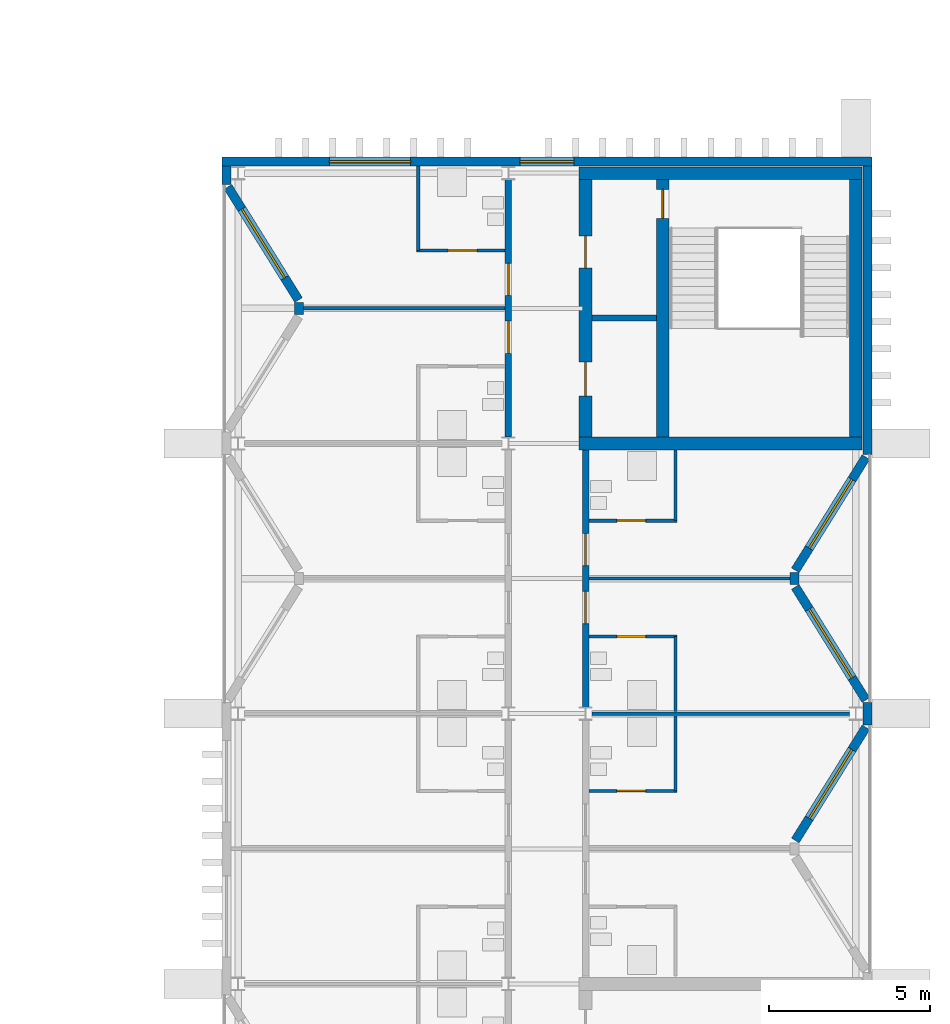
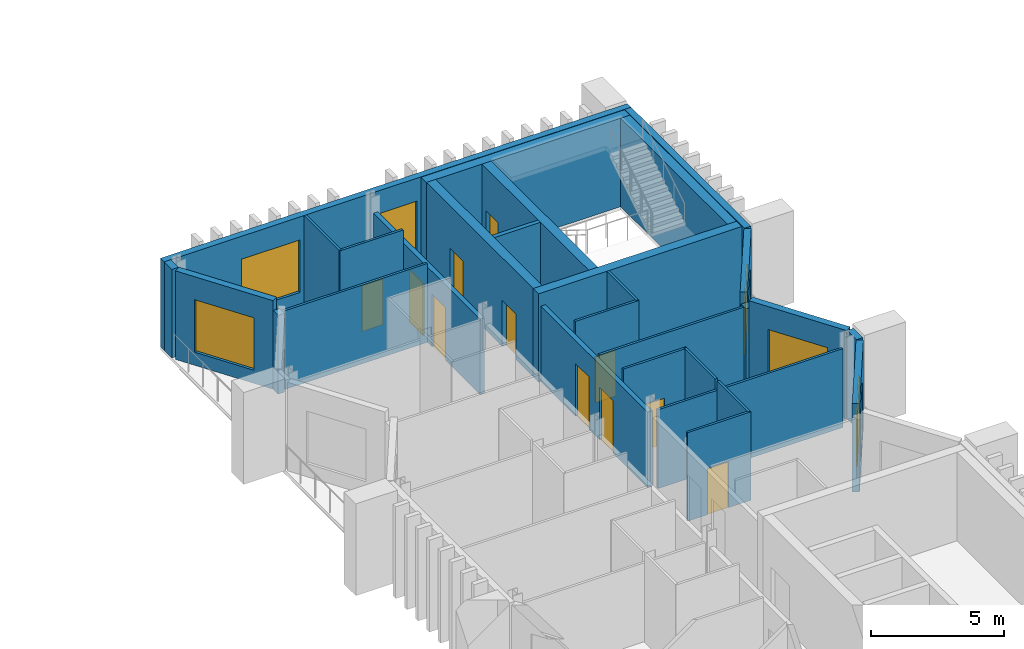
# One storey, part 15 of 18: 29 walls, 11 doors, 6 windows, 17 openings.
"""IFC4 building model written with IfcOpenShell, lengths in metres."""

import ifcopenshell
import ifcopenshell.guid

model = None  # the IFC model being written
_history = None  # IfcOwnerHistory: only IFC2X3 demands one
_inside = {}  # id of a spatial element -> (the spatial element, [elements in it])
_under = {}  # id of a project, library or spatial element -> (it, [spatial elements below it])
_declared = {}  # id of a project -> (the project, [libraries it declares])
_typed = {}  # id of a type object -> (the type object, [elements of that type])
_made_of = {}  # id of a material, layer set ... -> (it, [elements and type objects made of it])


def new_model(schema):
    """Start an empty IFC model of exactly this schema.

    Asked for "IFC4X3", IfcOpenShell would pick the latest addendum, in which some entities
    have other attributes; the version numbers below select the first issue.
    IFC2X3 requires an IfcOwnerHistory on every rooted entity: one is made here for all.
    """
    global model, _history
    if schema == "IFC4X3":
        model = ifcopenshell.file(schema_version=(4, 3, 0, 0))
    else:
        model = ifcopenshell.file(schema=schema)
    _inside.clear()
    _under.clear()
    _declared.clear()
    _typed.clear()
    _made_of.clear()
    _history = None
    if model.schema == "IFC2X3":
        org = make("IfcOrganization", Name="unknown")
        user = make(
            "IfcPersonAndOrganization",
            ThePerson=make("IfcPerson", FamilyName="unknown"),
            TheOrganization=org,
        )
        app = make(
            "IfcApplication",
            ApplicationDeveloper=org,
            Version="unknown",
            ApplicationFullName="unknown",
            ApplicationIdentifier="unknown",
        )
        _history = make(
            "IfcOwnerHistory",
            OwningUser=user,
            OwningApplication=app,
            ChangeAction="ADDED",
            CreationDate=0,
        )
    return model


def make(cls, **values):
    """One entity of the class cls with the attributes given. An attribute that is None is left unset."""
    return model.create_entity(
        cls, **{name: value for name, value in values.items() if value is not None}
    )


def rooted(cls, **values):
    """An entity with a GlobalId (a new one), such as an element, a storey or a relation."""
    return make(cls, GlobalId=ifcopenshell.guid.new(), OwnerHistory=_history, **values)


def si_unit(unit_type, name, prefix=None):
    """IfcSIUnit, for example si_unit("LENGTHUNIT", "METRE", prefix="MILLI")."""
    return make("IfcSIUnit", UnitType=unit_type, Prefix=prefix, Name=name)


def assignment(units):
    """IfcUnitAssignment: the units of a project."""
    return None if units is None else make("IfcUnitAssignment", Units=units)


def point(xyz):
    """IfcCartesianPoint."""
    return None if xyz is None else make("IfcCartesianPoint", Coordinates=xyz)


def direction(xyz):
    """IfcDirection."""
    return None if xyz is None else make("IfcDirection", DirectionRatios=xyz)


def frame(location, z_axis=None, x_axis=None):
    """IfcAxis2Placement3D, a coordinate frame: its origin and axes. An axis left out is left unset."""
    return make(
        "IfcAxis2Placement3D",
        Location=point(location),
        Axis=direction(z_axis),
        RefDirection=direction(x_axis),
    )


def frame_2d(location, x_axis=None):
    """IfcAxis2Placement2D, a coordinate frame in the plane: its origin and x axis."""
    return make(
        "IfcAxis2Placement2D", Location=point(location), RefDirection=direction(x_axis)
    )


def origin():
    """The frame at (0, 0, 0) with its axes left unset."""
    return frame((0.0, 0.0, 0.0))


def place(relative_to, where):
    """IfcLocalPlacement: puts the frame where relative to a parent placement (None: the world)."""
    return make(
        "IfcLocalPlacement", PlacementRelTo=relative_to, RelativePlacement=where
    )


def context(
    kind, dimensions, precision=None, world=None, true_north=None, identifier=None
):
    """IfcGeometricRepresentationContext, for example the 3D "Model" context."""
    return make(
        "IfcGeometricRepresentationContext",
        ContextIdentifier=identifier,
        ContextType=kind,
        CoordinateSpaceDimension=dimensions,
        Precision=precision,
        WorldCoordinateSystem=world,
        TrueNorth=true_north,
    )


def subcontext(parent, identifier, kind, view, scale=None):
    """IfcGeometricRepresentationSubContext, for example "Body" below "Model"."""
    return make(
        "IfcGeometricRepresentationSubContext",
        ContextIdentifier=identifier,
        ContextType=kind,
        ParentContext=parent,
        TargetScale=scale,
        TargetView=view,
    )


def project(units=None, contexts=None):
    """IfcProject with its units and contexts."""
    return rooted(
        "IfcProject",
        Name="project",
        RepresentationContexts=contexts,
        UnitsInContext=assignment(units),
    )


def spatial(cls, under=None, at=None, **own):
    """A site, building, storey or space (cls), placed at a placement, below another one or the project."""
    s = rooted(cls, ObjectPlacement=at, **own)
    if under is not None:
        _under.setdefault(under.id(), (under, []))[1].append(s)
    return s


def profile(cls, at=None, kind="AREA", **sizes):
    """A parametric profile (cls). Its sizes go by their IFC names, for example OverallWidth=200.0."""
    return make(cls, ProfileType=kind, Position=at, **sizes)


def rectangle(**sizes):
    """IfcRectangleProfileDef."""
    return profile("IfcRectangleProfileDef", **sizes)


def extrude(swept, where, along, depth):
    """IfcExtrudedAreaSolid: the profile swept, set in the frame where, extruded along a direction by depth."""
    return make(
        "IfcExtrudedAreaSolid",
        SweptArea=swept,
        Position=where,
        ExtrudedDirection=direction(along),
        Depth=depth,
    )


def shape(context_of_items, identifier, shape_type, items):
    """IfcShapeRepresentation: the items that make up one representation, for example the "Body"."""
    return make(
        "IfcShapeRepresentation",
        ContextOfItems=context_of_items,
        RepresentationIdentifier=identifier,
        RepresentationType=shape_type,
        Items=items,
    )


def material(Name=None, Category=None):
    """IfcMaterial."""
    return make("IfcMaterial", Name=Name, Category=Category)


def layer(
    of_material, thickness, ventilated=None, Name=None, Category=None, Priority=None
):
    """IfcMaterialLayer: one layer of a wall or slab, of a material (None: an air gap)."""
    return make(
        "IfcMaterialLayer",
        Material=of_material,
        LayerThickness=thickness,
        IsVentilated=ventilated,
        Name=Name,
        Category=Category,
        Priority=Priority,
    )


def layer_set(layers, Name=None):
    """IfcMaterialLayerSet."""
    return make("IfcMaterialLayerSet", MaterialLayers=layers, LayerSetName=Name)


def made_of(thing, what):
    """Note that an element or type object is made of a material, layer set ...; save() writes the relation."""
    if what is not None:
        _made_of.setdefault(what.id(), (what, []))[1].append(thing)
    return thing


def type_object(cls, material=None, **own):
    """A type object (cls), such as IfcWallType, which elements share."""
    return made_of(rooted(cls, **own), material)


def element(
    cls,
    number,
    at=None,
    inside=None,
    cuts=None,
    type_object=None,
    material=None,
    context=None,
    identifier="Body",
    shape_type=None,
    held_by="IfcProductDefinitionShape",
    body=None,
    shapes=None,
    **own,
):
    """One element of the class cls, such as IfcWall. Its Tag is "e" and its number.

    at: its placement. inside: the storey or other place that contains it. cuts: it is an
    opening in that element (IfcRelVoidsElement). A single representation is given by context,
    identifier, shape_type and body (its items); several are given by shapes. held_by: the class
    of the entity that holds the representations. save() writes the other relations.
    """
    e = rooted(cls, Tag="e%d" % number, ObjectPlacement=at, **own)
    if body is not None:
        shapes = [shape(context, identifier, shape_type, body)]
    if shapes is not None:
        e.Representation = make(held_by, Representations=shapes)
    if inside is not None:
        _inside.setdefault(inside.id(), (inside, []))[1].append(e)
    if cuts is not None:
        rooted(
            "IfcRelVoidsElement", RelatingBuildingElement=cuts, RelatedOpeningElement=e
        )
    if type_object is not None:
        _typed.setdefault(type_object.id(), (type_object, []))[1].append(e)
    return made_of(e, material)


def fill(opening, filler):
    """IfcRelFillsElement: the door or window that sits in an opening."""
    return rooted(
        "IfcRelFillsElement",
        RelatingOpeningElement=opening,
        RelatedBuildingElement=filler,
    )


def aggregate(whole, parts):
    """IfcRelAggregates: a whole, such as a stair, and the parts it consists of."""
    return rooted("IfcRelAggregates", RelatingObject=whole, RelatedObjects=parts)


def save(model, path):
    """Write the relations noted so far, then the file.

    IfcRelAggregates (storeys below a building ...), IfcRelContainedInSpatialStructure (elements
    in a storey), IfcRelDefinesByType, IfcRelAssociatesMaterial and IfcRelDeclares: one each for
    every whole, place, type object, material and project.
    """
    for whole, parts in _under.values():
        aggregate(whole, parts)
    for where, things in _inside.values():
        rooted(
            "IfcRelContainedInSpatialStructure",
            RelatedElements=things,
            RelatingStructure=where,
        )
    for kind, things in _typed.values():
        rooted("IfcRelDefinesByType", RelatedObjects=things, RelatingType=kind)
    for what, things in _made_of.values():
        rooted("IfcRelAssociatesMaterial", RelatedObjects=things, RelatingMaterial=what)
    for by, libraries in _declared.values():
        rooted("IfcRelDeclares", RelatingContext=by, RelatedDefinitions=libraries)
    model.write(path)


model = new_model("IFC4")

# Units and contexts
model_context = context("Model", 3, precision=1e-05, world=origin(), true_north=direction((0.0, 1.0)))
body_context = subcontext(model_context, "Body", "Model", "MODEL_VIEW")
ifc_project = project(units=[si_unit("LENGTHUNIT", "METRE"), si_unit("AREAUNIT", "SQUARE_METRE"), si_unit("VOLUMEUNIT", "CUBIC_METRE"), si_unit("PLANEANGLEUNIT", "RADIAN"), si_unit("MASSUNIT", "GRAM", prefix="KILO")], contexts=[model_context])

# Site, building, storey
site_placement = place(None, origin())
site = spatial("IfcSite", under=ifc_project, at=site_placement, CompositionType="ELEMENT")
building_placement = place(site_placement, origin())
building = spatial("IfcBuilding", under=site, at=building_placement, Name="Cresset Court Congress Hotel", CompositionType="ELEMENT")
storey_placement = place(building_placement, frame((0.0, 0.0, 35.39990234375)))
storey = spatial("IfcBuildingStorey", under=building, at=storey_placement, Name="L08", CompositionType="ELEMENT", Elevation=35.39990234375)

# Wall, openings, doors
ifc_material_1 = material(Name="Gypsum board partition")
ifc_layer_1 = layer(ifc_material_1, 0.199951171875)
ifc_layer_set_1 = layer_set([ifc_layer_1], Name="Corridor wall 200")
wall_type_1 = type_object("IfcWallType", Name="Corridor wall 200", PredefinedType="PARTITIONING", material=ifc_layer_set_1)
wall_1_placement = place(storey_placement, frame((165.60009765625, 59.0, 0.0), z_axis=(0.0, 0.0, 1.0), x_axis=(0.0, 1.0, 0.0)))
wall_1 = element("IfcWall", 1, at=wall_1_placement, inside=storey, type_object=wall_type_1, Name="A.wl.L08.077", PredefinedType="PARTITIONING", context=body_context, shape_type="SweptSolid", body=[
    extrude(rectangle(XDim=8.0, YDim=0.199951171875, at=frame_2d((4.0, 0.0))), origin(), (0.0, 0.0, 1.0), 3.4501953125),
])
opening_1_placement = place(wall_1_placement, frame((2.60009765625, 0.0, 0.0)))
opening_1 = element("IfcOpeningElement", 2, at=opening_1_placement, cuts=wall_1, Name="Opening DA-08-30", PredefinedType="OPENING", context=body_context, shape_type="SweptSolid", body=[
    extrude(rectangle(XDim=1.0, YDim=2.39990234375, at=frame_2d((0.5, 1.199951171875))), frame((0.0, 0.10986328125, 0.0), z_axis=(0.0, -1.0, 0.0), x_axis=(1.0, 0.0, 0.0)), (0.0, 0.0, 1.0), 0.219970703125),
])
opening_2_placement = place(wall_1_placement, frame((4.39990234375, 0.0, 0.0)))
opening_2 = element("IfcOpeningElement", 3, at=opening_2_placement, cuts=wall_1, Name="Opening DA-08-32", PredefinedType="OPENING", context=body_context, shape_type="SweptSolid", body=[
    extrude(rectangle(XDim=1.0, YDim=2.39990234375, at=frame_2d((0.5, 1.199951171875))), frame((0.0, 0.10986328125, 0.0), z_axis=(0.0, -1.0, 0.0), x_axis=(1.0, 0.0, 0.0)), (0.0, 0.0, 1.0), 0.219970703125),
])
ifc_material_2 = material(Name="timber", Category="wood")
door_type_1 = type_object("IfcDoorType", Name="Guest-room entry door 1000x2400 FD30S", OperationType="SINGLE_SWING_LEFT", PredefinedType="DOOR", material=ifc_material_2)
door_1_placement = place(opening_1_placement, origin())
door_1 = element("IfcDoor", 4, at=door_1_placement, inside=storey, type_object=door_type_1, Name="Door DA-08-30", OperationType="SINGLE_SWING_RIGHT", OverallHeight=2.39990234375, OverallWidth=1.0, PredefinedType="DOOR", context=body_context, shape_type="SweptSolid", body=[
    extrude(rectangle(XDim=1.0, YDim=2.39990234375, at=frame_2d((0.5, 1.199951171875))), frame((0.0, 0.02490234375, 0.0), z_axis=(0.0, -1.0, 0.0), x_axis=(1.0, 0.0, 0.0)), (0.0, 0.0, 1.0), 0.050048828125),
])
fill(opening_1, door_1)
door_2_placement = place(opening_2_placement, origin())
door_2 = element("IfcDoor", 5, at=door_2_placement, inside=storey, type_object=door_type_1, Name="Door DA-08-32", OperationType="SINGLE_SWING_LEFT", OverallHeight=2.39990234375, OverallWidth=1.0, PredefinedType="DOOR", context=body_context, shape_type="SweptSolid", body=[
    extrude(rectangle(XDim=1.0, YDim=2.39990234375, at=frame_2d((0.5, 1.199951171875))), frame((0.0, 0.02490234375, 0.0), z_axis=(0.0, -1.0, 0.0), x_axis=(1.0, 0.0, 0.0)), (0.0, 0.0, 1.0), 0.050048828125),
])
fill(opening_2, door_2)

wall_2_placement = place(storey_placement, frame((168.0, 50.60009765625, 0.0), z_axis=(0.0, 0.0, 1.0), x_axis=(0.0, 1.0, 0.0)))
wall_2 = element("IfcWall", 6, at=wall_2_placement, inside=storey, type_object=wall_type_1, Name="A.wl.L08.081", PredefinedType="PARTITIONING", context=body_context, shape_type="SweptSolid", body=[
    extrude(rectangle(XDim=8.0, YDim=0.199951171875, at=frame_2d((4.0, 0.0))), origin(), (0.0, 0.0, 1.0), 3.4501953125),
])
opening_3_placement = place(wall_2_placement, frame((2.60009765625, 0.0, 0.0)))
opening_3 = element("IfcOpeningElement", 7, at=opening_3_placement, cuts=wall_2, Name="Opening DA-08-46", PredefinedType="OPENING", context=body_context, shape_type="SweptSolid", body=[
    extrude(rectangle(XDim=1.0, YDim=2.39990234375, at=frame_2d((0.5, 1.199951171875))), frame((0.0, 0.10986328125, 0.0), z_axis=(0.0, -1.0, 0.0), x_axis=(1.0, 0.0, 0.0)), (0.0, 0.0, 1.0), 0.219970703125),
])
opening_4_placement = place(wall_2_placement, frame((4.39990234375, 0.0, 0.0)))
opening_4 = element("IfcOpeningElement", 8, at=opening_4_placement, cuts=wall_2, Name="Opening DA-08-48", PredefinedType="OPENING", context=body_context, shape_type="SweptSolid", body=[
    extrude(rectangle(XDim=1.0, YDim=2.39990234375, at=frame_2d((0.5, 1.199951171875))), frame((0.0, 0.10986328125, 0.0), z_axis=(0.0, -1.0, 0.0), x_axis=(1.0, 0.0, 0.0)), (0.0, 0.0, 1.0), 0.219970703125),
])
door_3_placement = place(opening_3_placement, origin())
door_3 = element("IfcDoor", 9, at=door_3_placement, inside=storey, type_object=door_type_1, Name="Door DA-08-46", OperationType="SINGLE_SWING_RIGHT", OverallHeight=2.39990234375, OverallWidth=1.0, PredefinedType="DOOR", context=body_context, shape_type="SweptSolid", body=[
    extrude(rectangle(XDim=1.0, YDim=2.39990234375, at=frame_2d((0.5, 1.199951171875))), frame((0.0, 0.02490234375, 0.0), z_axis=(0.0, -1.0, 0.0), x_axis=(1.0, 0.0, 0.0)), (0.0, 0.0, 1.0), 0.050048828125),
])
fill(opening_3, door_3)
door_4_placement = place(opening_4_placement, origin())
door_4 = element("IfcDoor", 10, at=door_4_placement, inside=storey, type_object=door_type_1, Name="Door DA-08-48", OperationType="SINGLE_SWING_LEFT", OverallHeight=2.39990234375, OverallWidth=1.0, PredefinedType="DOOR", context=body_context, shape_type="SweptSolid", body=[
    extrude(rectangle(XDim=1.0, YDim=2.39990234375, at=frame_2d((0.5, 1.199951171875))), frame((0.0, 0.02490234375, 0.0), z_axis=(0.0, -1.0, 0.0), x_axis=(1.0, 0.0, 0.0)), (0.0, 0.0, 1.0), 0.050048828125),
])
fill(opening_4, door_4)

# Wall
ifc_material_3 = material(Name="Gypsum board partition")
ifc_layer_2 = layer(ifc_material_3, 0.10009765625)
ifc_layer_set_2 = layer_set([ifc_layer_2], Name="En-suite wall 100")
wall_type_2 = type_object("IfcWallType", Name="En-suite wall 100", PredefinedType="PARTITIONING", material=ifc_layer_set_2)
wall_3_placement = place(storey_placement, frame((162.800048828125, 64.800048828125, 0.0), z_axis=(0.0, 0.0, 1.0), x_axis=(0.0, 1.0, 0.0)))
element("IfcWall", 11, at=wall_3_placement, inside=storey, type_object=wall_type_2, Name="A.wl.L08.031", PredefinedType="PARTITIONING", context=body_context, shape_type="SweptSolid", body=[
    extrude(rectangle(XDim=2.619873046875, YDim=0.10009765625, at=frame_2d((1.31005859375, 0.0))), origin(), (0.0, 0.0, 1.0), 4.050048828125),
])

# Wall, opening, door
wall_4_placement = place(storey_placement, frame((162.75, 64.800048828125, 0.0), z_axis=(0.0, 0.0, 1.0), x_axis=(1.0, 0.0, 0.0)))
wall_4 = element("IfcWall", 12, at=wall_4_placement, inside=storey, type_object=wall_type_2, Name="A.wl.L08.032", PredefinedType="PARTITIONING", context=body_context, shape_type="SweptSolid", body=[
    extrude(rectangle(XDim=2.75, YDim=0.10009765625, at=frame_2d((1.375, 0.0))), origin(), (0.0, 0.0, 1.0), 4.050048828125),
])
opening_5_placement = place(wall_4_placement, frame((0.97998046875, 0.0, 0.0)))
opening_5 = element("IfcOpeningElement", 13, at=opening_5_placement, cuts=wall_4, Name="Opening DA-08-31", PredefinedType="OPENING", context=body_context, shape_type="SweptSolid", body=[
    extrude(rectangle(XDim=0.89990234375, YDim=2.10009765625, at=frame_2d((0.449951171875, 1.050048828125))), frame((0.0, 0.06005859375, 0.0), z_axis=(0.0, -1.0, 0.0), x_axis=(1.0, 0.0, 0.0)), (0.0, 0.0, 1.0), 0.1201171875),
])
ifc_material_4 = material(Name="timber", Category="wood")
door_type_2 = type_object("IfcDoorType", Name="En-suite door 900x2100", OperationType="SINGLE_SWING_LEFT", PredefinedType="DOOR", material=ifc_material_4)
door_5_placement = place(opening_5_placement, origin())
door_5 = element("IfcDoor", 14, at=door_5_placement, inside=storey, type_object=door_type_2, Name="Door DA-08-31", OperationType="SINGLE_SWING_LEFT", OverallHeight=2.10009765625, OverallWidth=0.89990234375, PredefinedType="DOOR", context=body_context, shape_type="SweptSolid", body=[
    extrude(rectangle(XDim=0.89990234375, YDim=2.10009765625, at=frame_2d((0.449951171875, 1.050048828125))), frame((0.0, 0.02490234375, 0.0), z_axis=(0.0, -1.0, 0.0), x_axis=(1.0, 0.0, 0.0)), (0.0, 0.0, 1.0), 0.050048828125),
])
fill(opening_5, door_5)

# Wall
wall_5_placement = place(storey_placement, frame((170.800048828125, 48.0, 0.0), z_axis=(0.0, 0.0, 1.0), x_axis=(0.0, 1.0, 0.0)))
element("IfcWall", 15, at=wall_5_placement, inside=storey, type_object=wall_type_2, Name="A.wl.L08.043", PredefinedType="PARTITIONING", context=body_context, shape_type="SweptSolid", body=[
    extrude(rectangle(XDim=2.324951171875, YDim=0.10009765625, at=frame_2d((1.16259765625, 0.0))), origin(), (0.0, 0.0, 1.0), 4.050048828125),
])

# Wall, opening, door
wall_6_placement = place(storey_placement, frame((170.85009765625, 48.0, 0.0), z_axis=(0.0, 0.0, 1.0), x_axis=(-1.0, 0.0, 0.0)))
wall_6 = element("IfcWall", 16, at=wall_6_placement, inside=storey, type_object=wall_type_2, Name="A.wl.L08.044", PredefinedType="PARTITIONING", context=body_context, shape_type="SweptSolid", body=[
    extrude(rectangle(XDim=2.75, YDim=0.10009765625, at=frame_2d((1.375, 0.0))), origin(), (0.0, 0.0, 1.0), 4.050048828125),
])
opening_6_placement = place(wall_6_placement, frame((0.97998046875, 0.0, 0.0)))
opening_6 = element("IfcOpeningElement", 17, at=opening_6_placement, cuts=wall_6, Name="Opening DA-08-43", PredefinedType="OPENING", context=body_context, shape_type="SweptSolid", body=[
    extrude(rectangle(XDim=0.89990234375, YDim=2.10009765625, at=frame_2d((0.449951171875, 1.050048828125))), frame((0.0, 0.06005859375, 0.0), z_axis=(0.0, -1.0, 0.0), x_axis=(1.0, 0.0, 0.0)), (0.0, 0.0, 1.0), 0.1201171875),
])
door_6_placement = place(opening_6_placement, origin())
door_6 = element("IfcDoor", 18, at=door_6_placement, inside=storey, type_object=door_type_2, Name="Door DA-08-43", OperationType="SINGLE_SWING_LEFT", OverallHeight=2.10009765625, OverallWidth=0.89990234375, PredefinedType="DOOR", context=body_context, shape_type="SweptSolid", body=[
    extrude(rectangle(XDim=0.89990234375, YDim=2.10009765625, at=frame_2d((0.449951171875, 1.050048828125))), frame((0.0, 0.02490234375, 0.0), z_axis=(0.0, -1.0, 0.0), x_axis=(1.0, 0.0, 0.0)), (0.0, 0.0, 1.0), 0.050048828125),
])
fill(opening_6, door_6)

# Wall
wall_7_placement = place(storey_placement, frame((170.800048828125, 50.47509765625, 0.0), z_axis=(0.0, 0.0, 1.0), x_axis=(0.0, 1.0, 0.0)))
element("IfcWall", 19, at=wall_7_placement, inside=storey, type_object=wall_type_2, Name="A.wl.L08.045", PredefinedType="PARTITIONING", context=body_context, shape_type="SweptSolid", body=[
    extrude(rectangle(XDim=2.324951171875, YDim=0.10009765625, at=frame_2d((1.16259765625, 0.0))), origin(), (0.0, 0.0, 1.0), 4.050048828125),
])

# Wall, opening, door
wall_8_placement = place(storey_placement, frame((170.85009765625, 52.800048828125, 0.0), z_axis=(0.0, 0.0, 1.0), x_axis=(-1.0, 0.0, 0.0)))
wall_8 = element("IfcWall", 20, at=wall_8_placement, inside=storey, type_object=wall_type_2, Name="A.wl.L08.046", PredefinedType="PARTITIONING", context=body_context, shape_type="SweptSolid", body=[
    extrude(rectangle(XDim=2.75, YDim=0.10009765625, at=frame_2d((1.375, 0.0))), origin(), (0.0, 0.0, 1.0), 4.050048828125),
])
opening_7_placement = place(wall_8_placement, frame((0.97998046875, 0.0, 0.0)))
opening_7 = element("IfcOpeningElement", 21, at=opening_7_placement, cuts=wall_8, Name="Opening DA-08-45", PredefinedType="OPENING", context=body_context, shape_type="SweptSolid", body=[
    extrude(rectangle(XDim=0.89990234375, YDim=2.10009765625, at=frame_2d((0.449951171875, 1.050048828125))), frame((0.0, 0.06005859375, 0.0), z_axis=(0.0, -1.0, 0.0), x_axis=(1.0, 0.0, 0.0)), (0.0, 0.0, 1.0), 0.1201171875),
])
door_7_placement = place(opening_7_placement, origin())
door_7 = element("IfcDoor", 22, at=door_7_placement, inside=storey, type_object=door_type_2, Name="Door DA-08-45", OperationType="SINGLE_SWING_RIGHT", OverallHeight=2.10009765625, OverallWidth=0.89990234375, PredefinedType="DOOR", context=body_context, shape_type="SweptSolid", body=[
    extrude(rectangle(XDim=0.89990234375, YDim=2.10009765625, at=frame_2d((0.449951171875, 1.050048828125))), frame((0.0, 0.02490234375, 0.0), z_axis=(0.0, -1.0, 0.0), x_axis=(1.0, 0.0, 0.0)), (0.0, 0.0, 1.0), 0.050048828125),
])
fill(opening_7, door_7)

# Wall
wall_9_placement = place(storey_placement, frame((170.800048828125, 56.39990234375, 0.0), z_axis=(0.0, 0.0, 1.0), x_axis=(0.0, 1.0, 0.0)))
element("IfcWall", 23, at=wall_9_placement, inside=storey, type_object=wall_type_2, Name="A.wl.L08.047", PredefinedType="PARTITIONING", context=body_context, shape_type="SweptSolid", body=[
    extrude(rectangle(XDim=2.2001953125, YDim=0.10009765625, at=frame_2d((1.10009765625, 0.0))), origin(), (0.0, 0.0, 1.0), 4.050048828125),
])

# Wall, opening, door
wall_10_placement = place(storey_placement, frame((170.85009765625, 56.39990234375, 0.0), z_axis=(0.0, 0.0, 1.0), x_axis=(-1.0, 0.0, 0.0)))
wall_10 = element("IfcWall", 24, at=wall_10_placement, inside=storey, type_object=wall_type_2, Name="A.wl.L08.048", PredefinedType="PARTITIONING", context=body_context, shape_type="SweptSolid", body=[
    extrude(rectangle(XDim=2.75, YDim=0.10009765625, at=frame_2d((1.375, 0.0))), origin(), (0.0, 0.0, 1.0), 4.050048828125),
])
opening_8_placement = place(wall_10_placement, frame((0.97998046875, 0.0, 0.0)))
opening_8 = element("IfcOpeningElement", 25, at=opening_8_placement, cuts=wall_10, Name="Opening DA-08-47", PredefinedType="OPENING", context=body_context, shape_type="SweptSolid", body=[
    extrude(rectangle(XDim=0.89990234375, YDim=2.10009765625, at=frame_2d((0.449951171875, 1.050048828125))), frame((0.0, 0.06005859375, 0.0), z_axis=(0.0, -1.0, 0.0), x_axis=(1.0, 0.0, 0.0)), (0.0, 0.0, 1.0), 0.1201171875),
])
door_8_placement = place(opening_8_placement, origin())
door_8 = element("IfcDoor", 26, at=door_8_placement, inside=storey, type_object=door_type_2, Name="Door DA-08-47", OperationType="SINGLE_SWING_LEFT", OverallHeight=2.10009765625, OverallWidth=0.89990234375, PredefinedType="DOOR", context=body_context, shape_type="SweptSolid", body=[
    extrude(rectangle(XDim=0.89990234375, YDim=2.10009765625, at=frame_2d((0.449951171875, 1.050048828125))), frame((0.0, 0.02490234375, 0.0), z_axis=(0.0, -1.0, 0.0), x_axis=(1.0, 0.0, 0.0)), (0.0, 0.0, 1.0), 0.050048828125),
])
fill(opening_8, door_8)

# Wall, opening, window
ifc_material_5 = material(Name="Precast concrete C50", Category="concrete")
ifc_layer_3 = layer(ifc_material_5, 0.280029296875)
ifc_layer_set_3 = layer_set([ifc_layer_3], Name="External wall 280")
wall_type_3 = type_object("IfcWallType", Name="External wall 280", PredefinedType="SOLIDWALL", material=ifc_layer_set_3)
wall_11_placement = place(storey_placement, frame((159.07861328125, 63.259033203125, 0.0), z_axis=(0.0, 0.0, 1.0), x_axis=(-0.529018946142, 0.848610013271, 0.0)))
wall_11 = element("IfcWall", 27, at=wall_11_placement, inside=storey, type_object=wall_type_3, Name="A.ew.L08.Wn.7.1", PredefinedType="SOLIDWALL", context=body_context, shape_type="SweptSolid", body=[
    extrude(rectangle(XDim=4.144287109375, YDim=0.280029296875, at=frame_2d((2.072265625, 0.0))), origin(), (0.0, 0.0, 1.0), 4.050048828125),
])
opening_9_placement = place(wall_11_placement, frame((0.812255859375, 0.0, 0.60009765625)))
opening_9 = element("IfcOpeningElement", 28, at=opening_9_placement, cuts=wall_11, Name="Opening NA-08-16", PredefinedType="OPENING", context=body_context, shape_type="SweptSolid", body=[
    extrude(rectangle(XDim=2.52001953125, YDim=2.39990234375, at=frame_2d((1.260009765625, 1.199951171875))), frame((0.0, 0.14990234375, 0.0), z_axis=(0.0, -1.0, 0.0), x_axis=(1.0, 0.0, 0.0)), (0.0, 0.0, 1.0), 0.300048828125),
])
ifc_material_6 = material(Name="Aluminium and glass", Category="aluminium")
window_type_1 = type_object("IfcWindowType", Name="Window 2520x2400", PartitioningType="SINGLE_PANEL", PredefinedType="WINDOW", material=ifc_material_6)
window_1_placement = place(opening_9_placement, origin())
window_1 = element("IfcWindow", 29, at=window_1_placement, inside=storey, type_object=window_type_1, Name="Window NA-08-16", OverallHeight=2.39990234375, OverallWidth=2.52001953125, PartitioningType="SINGLE_PANEL", PredefinedType="WINDOW", context=body_context, shape_type="SweptSolid", body=[
    extrude(rectangle(XDim=2.52001953125, YDim=2.39990234375, at=frame_2d((1.260009765625, 1.199951171875))), frame((0.0, 0.030029296875, 0.0), z_axis=(0.0, -1.0, 0.0), x_axis=(1.0, 0.0, 0.0)), (0.0, 0.0, 1.0), 0.06005859375),
])
fill(opening_9, window_1)

# Walls
wall_12_placement = place(storey_placement, frame((159.099609375, 62.815185546875, 0.0), z_axis=(0.0, 0.0, 1.0), x_axis=(0.0, 1.0, 0.0)))
element("IfcWall", 30, at=wall_12_placement, inside=storey, type_object=wall_type_3, Name="A.ew.L08.Wn.7.2", PredefinedType="SOLIDWALL", context=body_context, shape_type="SweptSolid", body=[
    extrude(rectangle(XDim=0.36962890625, YDim=0.280029296875, at=frame_2d((0.184814453125, 0.0))), origin(), (0.0, 0.0, 1.0), 3.60400390625),
])
wall_13_placement = place(storey_placement, frame((156.840087890625, 66.85009765625, 0.0), z_axis=(0.0, 0.0, 1.0), x_axis=(0.0, 1.0, 0.0)))
element("IfcWall", 31, at=wall_13_placement, inside=storey, type_object=wall_type_3, Name="A.ew.L08.W.6", PredefinedType="SOLIDWALL", context=body_context, shape_type="SweptSolid", body=[
    extrude(rectangle(XDim=0.56982421875, YDim=0.280029296875, at=frame_2d((0.284912109375, 0.0))), origin(), (0.0, 0.0, 1.0), 4.050048828125),
])

# Wall, opening, window
wall_14_placement = place(storey_placement, frame((174.521484375, 46.458984375, 0.0), z_axis=(0.0, 0.0, 1.0), x_axis=(0.529018946142, 0.848610013271, 0.0)))
wall_14 = element("IfcWall", 32, at=wall_14_placement, inside=storey, type_object=wall_type_3, Name="A.ew.L08.En.5.1", PredefinedType="SOLIDWALL", context=body_context, shape_type="SweptSolid", body=[
    extrude(rectangle(XDim=4.144287109375, YDim=0.280029296875, at=frame_2d((2.072265625, 0.0))), origin(), (0.0, 0.0, 1.0), 4.050048828125),
])
opening_10_placement = place(wall_14_placement, frame((0.81201171875, 0.0, 0.60009765625)))
opening_10 = element("IfcOpeningElement", 33, at=opening_10_placement, cuts=wall_14, Name="Opening NA-08-22", PredefinedType="OPENING", context=body_context, shape_type="SweptSolid", body=[
    extrude(rectangle(XDim=2.52001953125, YDim=2.39990234375, at=frame_2d((1.260009765625, 1.199951171875))), frame((0.0, 0.14990234375, 0.0), z_axis=(0.0, -1.0, 0.0), x_axis=(1.0, 0.0, 0.0)), (0.0, 0.0, 1.0), 0.300048828125),
])
window_2_placement = place(opening_10_placement, origin())
window_2 = element("IfcWindow", 34, at=window_2_placement, inside=storey, type_object=window_type_1, Name="Window NA-08-22", OverallHeight=2.39990234375, OverallWidth=2.52001953125, PartitioningType="SINGLE_PANEL", PredefinedType="WINDOW", context=body_context, shape_type="SweptSolid", body=[
    extrude(rectangle(XDim=2.52001953125, YDim=2.39990234375, at=frame_2d((1.260009765625, 1.199951171875))), frame((0.0, 0.030029296875, 0.0), z_axis=(0.0, -1.0, 0.0), x_axis=(1.0, 0.0, 0.0)), (0.0, 0.0, 1.0), 0.06005859375),
])
fill(opening_10, window_2)

# Wall
wall_15_placement = place(storey_placement, frame((176.760009765625, 50.050048828125, 0.0), z_axis=(0.0, 0.0, 1.0), x_axis=(0.0, 1.0, 0.0)))
element("IfcWall", 35, at=wall_15_placement, inside=storey, type_object=wall_type_3, Name="A.ew.L08.E.2", PredefinedType="SOLIDWALL", context=body_context, shape_type="SweptSolid", body=[
    extrude(rectangle(XDim=0.699951171875, YDim=0.280029296875, at=frame_2d((0.35009765625, 0.0))), origin(), (0.0, 0.0, 1.0), 4.050048828125),
])

# Wall, opening, window
wall_16_placement = place(storey_placement, frame((176.7138671875, 50.82421875, 0.0), z_axis=(0.0, 0.0, 1.0), x_axis=(-0.529018946142, 0.848610013271, 0.0)))
wall_16 = element("IfcWall", 36, at=wall_16_placement, inside=storey, type_object=wall_type_3, Name="A.ew.L08.En.6.0", PredefinedType="SOLIDWALL", context=body_context, shape_type="SweptSolid", body=[
    extrude(rectangle(XDim=4.144287109375, YDim=0.280029296875, at=frame_2d((2.072265625, 0.0))), origin(), (0.0, 0.0, 1.0), 4.050048828125),
])
opening_11_placement = place(wall_16_placement, frame((0.81201171875, 0.0, 0.60009765625)))
opening_11 = element("IfcOpeningElement", 37, at=opening_11_placement, cuts=wall_16, Name="Opening NA-08-23", PredefinedType="OPENING", context=body_context, shape_type="SweptSolid", body=[
    extrude(rectangle(XDim=2.52001953125, YDim=2.39990234375, at=frame_2d((1.260009765625, 1.199951171875))), frame((0.0, 0.14990234375, 0.0), z_axis=(0.0, -1.0, 0.0), x_axis=(1.0, 0.0, 0.0)), (0.0, 0.0, 1.0), 0.300048828125),
])
window_3_placement = place(opening_11_placement, origin())
window_3 = element("IfcWindow", 38, at=window_3_placement, inside=storey, type_object=window_type_1, Name="Window NA-08-23", OverallHeight=2.39990234375, OverallWidth=2.52001953125, PartitioningType="SINGLE_PANEL", PredefinedType="WINDOW", context=body_context, shape_type="SweptSolid", body=[
    extrude(rectangle(XDim=2.52001953125, YDim=2.39990234375, at=frame_2d((1.260009765625, 1.199951171875))), frame((0.0, 0.030029296875, 0.0), z_axis=(0.0, -1.0, 0.0), x_axis=(1.0, 0.0, 0.0)), (0.0, 0.0, 1.0), 0.06005859375),
])
fill(opening_11, window_3)

wall_17_placement = place(storey_placement, frame((174.521484375, 54.85888671875, 0.0), z_axis=(0.0, 0.0, 1.0), x_axis=(0.528992500338, 0.848626498871, 0.0)))
wall_17 = element("IfcWall", 39, at=wall_17_placement, inside=storey, type_object=wall_type_3, Name="A.ew.L08.En.6.1", PredefinedType="SOLIDWALL", context=body_context, shape_type="SweptSolid", body=[
    extrude(rectangle(XDim=4.14453125, YDim=0.280029296875, at=frame_2d((2.072265625, 0.0))), origin(), (0.0, 0.0, 1.0), 4.050048828125),
])
opening_12_placement = place(wall_17_placement, frame((0.81201171875, 0.0, 0.60009765625)))
opening_12 = element("IfcOpeningElement", 40, at=opening_12_placement, cuts=wall_17, Name="Opening NA-08-24", PredefinedType="OPENING", context=body_context, shape_type="SweptSolid", body=[
    extrude(rectangle(XDim=2.52001953125, YDim=2.39990234375, at=frame_2d((1.260009765625, 1.199951171875))), frame((0.0, 0.14990234375, 0.0), z_axis=(0.0, -1.0, 0.0), x_axis=(1.0, 0.0, 0.0)), (0.0, 0.0, 1.0), 0.300048828125),
])
window_4_placement = place(opening_12_placement, origin())
window_4 = element("IfcWindow", 41, at=window_4_placement, inside=storey, type_object=window_type_1, Name="Window NA-08-24", OverallHeight=2.39990234375, OverallWidth=2.52001953125, PartitioningType="SINGLE_PANEL", PredefinedType="WINDOW", context=body_context, shape_type="SweptSolid", body=[
    extrude(rectangle(XDim=2.52001953125, YDim=2.39990234375, at=frame_2d((1.260009765625, 1.199951171875))), frame((0.0, 0.030029296875, 0.0), z_axis=(0.0, -1.0, 0.0), x_axis=(1.0, 0.0, 0.0)), (0.0, 0.0, 1.0), 0.06005859375),
])
fill(opening_12, window_4)

# Walls
wall_18_placement = place(storey_placement, frame((174.500244140625, 54.4150390625, 0.0), z_axis=(0.0, 0.0, 1.0), x_axis=(0.0, 1.0, 0.0)))
element("IfcWall", 42, at=wall_18_placement, inside=storey, type_object=wall_type_3, Name="A.ew.L08.En.6.2", PredefinedType="SOLIDWALL", context=body_context, shape_type="SweptSolid", body=[
    extrude(rectangle(XDim=0.369873046875, YDim=0.280029296875, at=frame_2d((0.18505859375, 0.0))), origin(), (0.0, 0.0, 1.0), 3.60400390625),
])
wall_19_placement = place(storey_placement, frame((176.760009765625, 58.449951171875, 0.0), z_axis=(0.0, 0.0, 1.0), x_axis=(0.0, 1.0, 0.0)))
element("IfcWall", 43, at=wall_19_placement, inside=storey, type_object=wall_type_3, Name="A.ew.L08.E.3", PredefinedType="SOLIDWALL", context=body_context, shape_type="SweptSolid", body=[
    extrude(rectangle(XDim=8.969970703125, YDim=0.280029296875, at=frame_2d((4.48486328125, 0.0))), origin(), (0.0, 0.0, 1.0), 4.050048828125),
])

# Wall, openings, windows
ifc_material_7 = material(Name="Precast concrete C50", Category="concrete")
ifc_layer_4 = layer(ifc_material_7, 0.280029296875)
ifc_layer_set_4 = layer_set([ifc_layer_4], Name="Gable end wall 280")
wall_type_4 = type_object("IfcWallType", Name="Gable end wall 280", PredefinedType="SOLIDWALL", material=ifc_layer_set_4)
wall_20_placement = place(storey_placement, frame((156.699951171875, 67.56005859375, 0.0), z_axis=(0.0, 0.0, 1.0), x_axis=(1.0, 0.0, 0.0)))
wall_20 = element("IfcWall", 44, at=wall_20_placement, inside=storey, type_object=wall_type_4, Name="A.ew.L08.N.1", PredefinedType="SOLIDWALL", context=body_context, shape_type="SweptSolid", body=[
    extrude(rectangle(XDim=20.199951171875, YDim=0.280029296875, at=frame_2d((10.10009765625, 0.0))), origin(), (0.0, 0.0, 1.0), 4.050048828125),
])
opening_13_placement = place(wall_20_placement, frame((9.260009765625, 0.0, 0.60009765625)))
opening_13 = element("IfcOpeningElement", 45, at=opening_13_placement, cuts=wall_20, Name="Opening NA-08-27", PredefinedType="OPENING", context=body_context, shape_type="SweptSolid", body=[
    extrude(rectangle(XDim=1.679931640625, YDim=2.39990234375, at=frame_2d((0.83984375, 1.199951171875))), frame((0.0, 0.14990234375, 0.0), z_axis=(0.0, -1.0, 0.0), x_axis=(1.0, 0.0, 0.0)), (0.0, 0.0, 1.0), 0.300048828125),
])
opening_14_placement = place(wall_20_placement, frame((3.340087890625, 0.0, 0.60009765625)))
opening_14 = element("IfcOpeningElement", 46, at=opening_14_placement, cuts=wall_20, Name="Opening NA-08-28", PredefinedType="OPENING", context=body_context, shape_type="SweptSolid", body=[
    extrude(rectangle(XDim=2.52001953125, YDim=2.39990234375, at=frame_2d((1.260009765625, 1.199951171875))), frame((0.0, 0.14990234375, 0.0), z_axis=(0.0, -1.0, 0.0), x_axis=(1.0, 0.0, 0.0)), (0.0, 0.0, 1.0), 0.300048828125),
])
ifc_material_8 = material(Name="Aluminium and glass", Category="aluminium")
window_type_2 = type_object("IfcWindowType", Name="Window 1680x2400", PartitioningType="SINGLE_PANEL", PredefinedType="WINDOW", material=ifc_material_8)
window_5_placement = place(opening_13_placement, origin())
window_5 = element("IfcWindow", 47, at=window_5_placement, inside=storey, type_object=window_type_2, Name="Window NA-08-27", OverallHeight=2.39990234375, OverallWidth=1.679931640625, PartitioningType="SINGLE_PANEL", PredefinedType="WINDOW", context=body_context, shape_type="SweptSolid", body=[
    extrude(rectangle(XDim=1.679931640625, YDim=2.39990234375, at=frame_2d((0.83984375, 1.199951171875))), frame((0.0, 0.030029296875, 0.0), z_axis=(0.0, -1.0, 0.0), x_axis=(1.0, 0.0, 0.0)), (0.0, 0.0, 1.0), 0.06005859375),
])
fill(opening_13, window_5)
window_6_placement = place(opening_14_placement, origin())
window_6 = element("IfcWindow", 48, at=window_6_placement, inside=storey, type_object=window_type_1, Name="Window NA-08-28", OverallHeight=2.39990234375, OverallWidth=2.52001953125, PartitioningType="SINGLE_PANEL", PredefinedType="WINDOW", context=body_context, shape_type="SweptSolid", body=[
    extrude(rectangle(XDim=2.52001953125, YDim=2.39990234375, at=frame_2d((1.260009765625, 1.199951171875))), frame((0.0, 0.030029296875, 0.0), z_axis=(0.0, -1.0, 0.0), x_axis=(1.0, 0.0, 0.0)), (0.0, 0.0, 1.0), 0.06005859375),
])
fill(opening_14, window_6)

# Walls
ifc_material_9 = material(Name="Gypsum board partition")
ifc_layer_5 = layer(ifc_material_9, 0.10009765625)
ifc_layer_set_5 = layer_set([ifc_layer_5], Name="Guest-room partition 100")
wall_type_5 = type_object("IfcWallType", Name="Guest-room partition 100", PredefinedType="PARTITIONING", material=ifc_layer_set_5)
wall_21_placement = place(storey_placement, frame((168.199951171875, 50.39990234375, 0.0), z_axis=(0.0, 0.0, 1.0), x_axis=(1.0, 0.0, 0.0)))
element("IfcWall", 49, at=wall_21_placement, inside=storey, type_object=wall_type_5, Name="A.wl.L08.057", PredefinedType="PARTITIONING", context=body_context, shape_type="SweptSolid", body=[
    extrude(rectangle(XDim=8.0, YDim=0.10009765625, at=frame_2d((4.0, 0.0))), origin(), (0.0, 0.0, 1.0), 3.60400390625),
])
for number, where, z_axis, x_axis, name in (
    (50, (159.23974609375, 63.0, 0.0), (0.0, 0.0, 1.0), (1.0, 0.0, 0.0), "A.wl.L08.065"),
    (51, (168.10009765625, 54.60009765625, 0.0), (0.0, 0.0, 1.0), (1.0, 0.0, 0.0), "A.wl.L08.069"),
):
    element("IfcWall", number, at=place(storey_placement, frame(where, z_axis=z_axis, x_axis=x_axis)), inside=storey, type_object=wall_type_5, Name=name, PredefinedType="PARTITIONING", context=body_context, shape_type="SweptSolid", body=[
        extrude(rectangle(XDim=6.26025390625, YDim=0.10009765625, at=frame_2d((3.130126953125, 0.0))), origin(), (0.0, 0.0, 1.0), 3.60400390625),
    ])
ifc_material_10 = material(Name="Concrete block wall", Category="concrete")
ifc_layer_6 = layer(ifc_material_10, 0.175048828125)
ifc_layer_set_6 = layer_set([ifc_layer_6], Name="Riser shaft wall 175")
wall_type_6 = type_object("IfcWallType", Name="Riser shaft wall 175", PredefinedType="PARTITIONING", material=ifc_layer_set_6)
wall_22_placement = place(storey_placement, frame((168.199951171875, 62.699951171875, 0.0), z_axis=(0.0, 0.0, 1.0), x_axis=(1.0, 0.0, 0.0)))
element("IfcWall", 52, at=wall_22_placement, inside=storey, type_object=wall_type_6, Name="A.wl.L08.085", PredefinedType="PARTITIONING", context=body_context, shape_type="SweptSolid", body=[
    extrude(rectangle(XDim=2.0, YDim=0.175048828125, at=frame_2d((1.0, 0.0))), origin(), (0.0, 0.0, 1.0), 4.050048828125),
])
ifc_material_11 = material(Name="Concrete C50", Category="concrete")
ifc_layer_7 = layer(ifc_material_11, 0.39990234375)
ifc_layer_set_7 = layer_set([ifc_layer_7], Name="Stair core wall 400")
wall_type_7 = type_object("IfcWallType", Name="Stair core wall 400", PredefinedType="SOLIDWALL", material=ifc_layer_set_7)
for number, where, z_axis, x_axis, name in (
    (53, (167.800048828125, 58.800048828125, 0.0), (0.0, 0.0, 1.0), (1.0, 0.0, 0.0), "A.cw.ST-A2.L08.S"),
    (54, (167.800048828125, 67.199951171875, 0.0), (0.0, 0.0, 1.0), (1.0, 0.0, 0.0), "A.cw.ST-A2.L08.N"),
):
    element("IfcWall", number, at=place(storey_placement, frame(where, z_axis=z_axis, x_axis=x_axis)), inside=storey, type_object=wall_type_7, Name=name, PredefinedType="SOLIDWALL", context=body_context, shape_type="SweptSolid", body=[
        extrude(rectangle(XDim=8.800048828125, YDim=0.39990234375, at=frame_2d((4.39990234375, 0.0))), origin(), (0.0, 0.0, 1.0), 4.050048828125),
    ])

# Wall, openings, doors
wall_23_placement = place(storey_placement, frame((168.0, 59.0, 0.0), z_axis=(0.0, 0.0, 1.0), x_axis=(0.0, 1.0, 0.0)))
wall_23 = element("IfcWall", 55, at=wall_23_placement, inside=storey, type_object=wall_type_7, Name="A.cw.ST-A2.L08.W", PredefinedType="SOLIDWALL", context=body_context, shape_type="SweptSolid", body=[
    extrude(rectangle(XDim=8.0, YDim=0.39990234375, at=frame_2d((4.0, 0.0))), origin(), (0.0, 0.0, 1.0), 4.050048828125),
])
opening_15_placement = place(wall_23_placement, frame((5.25, 0.0, 0.0)))
opening_15 = element("IfcOpeningElement", 56, at=opening_15_placement, cuts=wall_23, Name="Opening DA-08-53", PredefinedType="OPENING", context=body_context, shape_type="SweptSolid", body=[
    extrude(rectangle(XDim=1.0, YDim=2.10009765625, at=frame_2d((0.5, 1.050048828125))), frame((0.0, 0.2099609375, 0.0), z_axis=(0.0, -1.0, 0.0), x_axis=(1.0, 0.0, 0.0)), (0.0, 0.0, 1.0), 0.419921875),
])
opening_16_placement = place(wall_23_placement, frame((1.27490234375, 0.0, 0.0)))
opening_16 = element("IfcOpeningElement", 57, at=opening_16_placement, cuts=wall_23, Name="Opening DA-08-54", PredefinedType="OPENING", context=body_context, shape_type="SweptSolid", body=[
    extrude(rectangle(XDim=1.050048828125, YDim=2.10009765625, at=frame_2d((0.52490234375, 1.050048828125))), frame((0.0, 0.2099609375, 0.0), z_axis=(0.0, -1.0, 0.0), x_axis=(1.0, 0.0, 0.0)), (0.0, 0.0, 1.0), 0.419921875),
])
ifc_material_12 = material(Name="steel", Category="steel")
door_type_3 = type_object("IfcDoorType", Name="Housekeeping room door 1050x2100 FD30", OperationType="SINGLE_SWING_LEFT", PredefinedType="DOOR", material=ifc_material_12)
door_9_placement = place(opening_16_placement, origin())
door_9 = element("IfcDoor", 58, at=door_9_placement, inside=storey, type_object=door_type_3, Name="Door DA-08-54", OperationType="SINGLE_SWING_RIGHT", OverallHeight=2.10009765625, OverallWidth=1.050048828125, PredefinedType="DOOR", context=body_context, shape_type="SweptSolid", body=[
    extrude(rectangle(XDim=1.050048828125, YDim=2.10009765625, at=frame_2d((0.52490234375, 1.050048828125))), frame((0.0, 0.02490234375, 0.0), z_axis=(0.0, -1.0, 0.0), x_axis=(1.0, 0.0, 0.0)), (0.0, 0.0, 1.0), 0.050048828125),
])
fill(opening_16, door_9)
ifc_material_13 = material(Name="steel", Category="steel")
door_type_4 = type_object("IfcDoorType", Name="Lobby door 1000x2100 FD60", OperationType="SINGLE_SWING_LEFT", PredefinedType="DOOR", material=ifc_material_13)
door_10_placement = place(opening_15_placement, origin())
door_10 = element("IfcDoor", 59, at=door_10_placement, inside=storey, type_object=door_type_4, Name="Door DA-08-53", OperationType="SINGLE_SWING_LEFT", OverallHeight=2.10009765625, OverallWidth=1.0, PredefinedType="DOOR", context=body_context, shape_type="SweptSolid", body=[
    extrude(rectangle(XDim=1.0, YDim=2.10009765625, at=frame_2d((0.5, 1.050048828125))), frame((0.0, 0.02490234375, 0.0), z_axis=(0.0, -1.0, 0.0), x_axis=(1.0, 0.0, 0.0)), (0.0, 0.0, 1.0), 0.050048828125),
])
fill(opening_15, door_10)

# Wall
wall_24_placement = place(storey_placement, frame((176.39990234375, 59.0, 0.0), z_axis=(0.0, 0.0, 1.0), x_axis=(0.0, 1.0, 0.0)))
element("IfcWall", 60, at=wall_24_placement, inside=storey, type_object=wall_type_7, Name="A.cw.ST-A2.L08.E", PredefinedType="SOLIDWALL", context=body_context, shape_type="SweptSolid", body=[
    extrude(rectangle(XDim=8.0, YDim=0.39990234375, at=frame_2d((4.0, 0.0))), origin(), (0.0, 0.0, 1.0), 4.050048828125),
])

# Wall, opening, door
wall_25_placement = place(storey_placement, frame((170.39990234375, 59.0, 0.0), z_axis=(0.0, 0.0, 1.0), x_axis=(0.0, 1.0, 0.0)))
wall_25 = element("IfcWall", 61, at=wall_25_placement, inside=storey, type_object=wall_type_7, Name="A.wl.L08.084", PredefinedType="SOLIDWALL", context=body_context, shape_type="SweptSolid", body=[
    extrude(rectangle(XDim=8.0, YDim=0.39990234375, at=frame_2d((4.0, 0.0))), origin(), (0.0, 0.0, 1.0), 4.050048828125),
])
opening_17_placement = place(wall_25_placement, frame((6.800048828125, 0.0, 0.0)))
opening_17 = element("IfcOpeningElement", 62, at=opening_17_placement, cuts=wall_25, Name="Opening DA-08-52", PredefinedType="OPENING", context=body_context, shape_type="SweptSolid", body=[
    extrude(rectangle(XDim=0.89990234375, YDim=2.10009765625, at=frame_2d((0.449951171875, 1.050048828125))), frame((0.0, 0.2099609375, 0.0), z_axis=(0.0, -1.0, 0.0), x_axis=(1.0, 0.0, 0.0)), (0.0, 0.0, 1.0), 0.419921875),
])
ifc_material_14 = material(Name="steel", Category="steel")
door_type_5 = type_object("IfcDoorType", Name="Stair door 900x2100 FD60", OperationType="SINGLE_SWING_LEFT", PredefinedType="DOOR", material=ifc_material_14)
door_11_placement = place(opening_17_placement, origin())
door_11 = element("IfcDoor", 63, at=door_11_placement, inside=storey, type_object=door_type_5, Name="Door DA-08-52", OperationType="SINGLE_SWING_RIGHT", OverallHeight=2.10009765625, OverallWidth=0.89990234375, PredefinedType="DOOR", context=body_context, shape_type="SweptSolid", body=[
    extrude(rectangle(XDim=0.89990234375, YDim=2.10009765625, at=frame_2d((0.449951171875, 1.050048828125))), frame((0.0, 0.02490234375, 0.0), z_axis=(0.0, -1.0, 0.0), x_axis=(1.0, 0.0, 0.0)), (0.0, 0.0, 1.0), 0.050048828125),
])
fill(opening_17, door_11)

save(model, "model.ifc")
